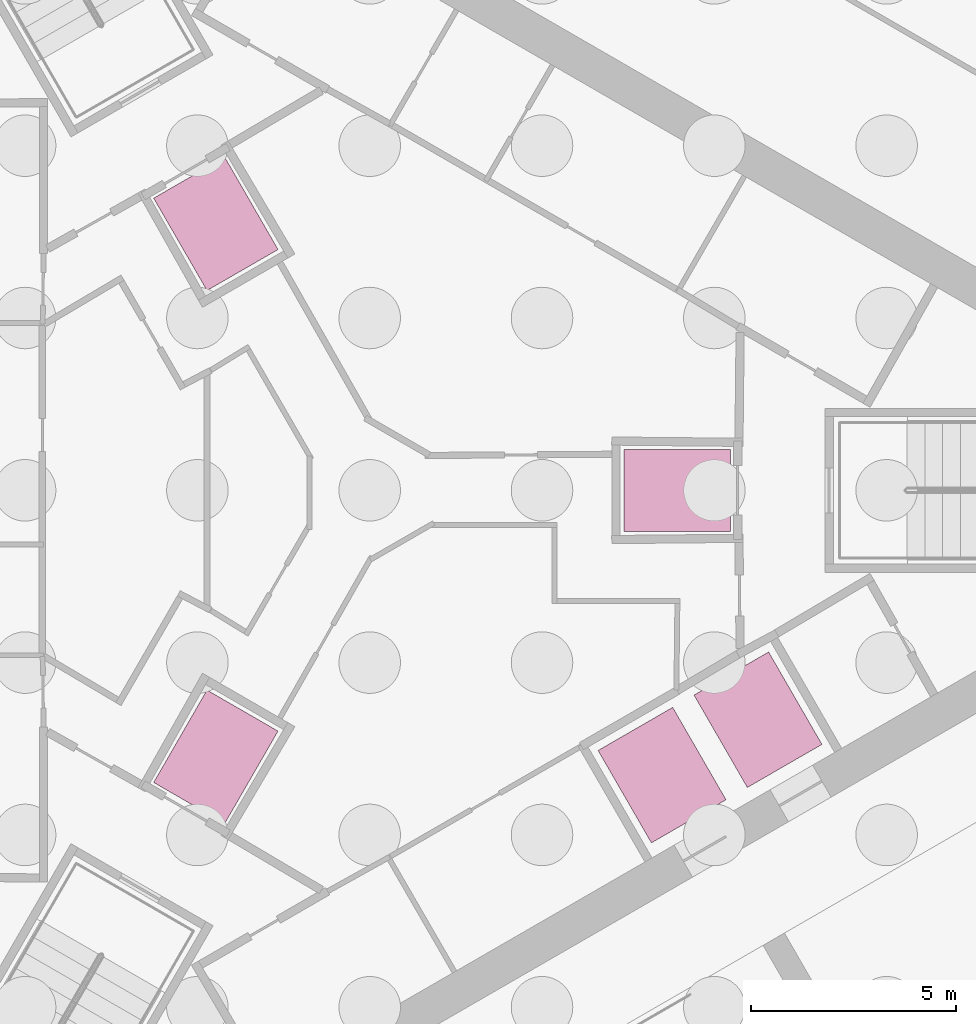
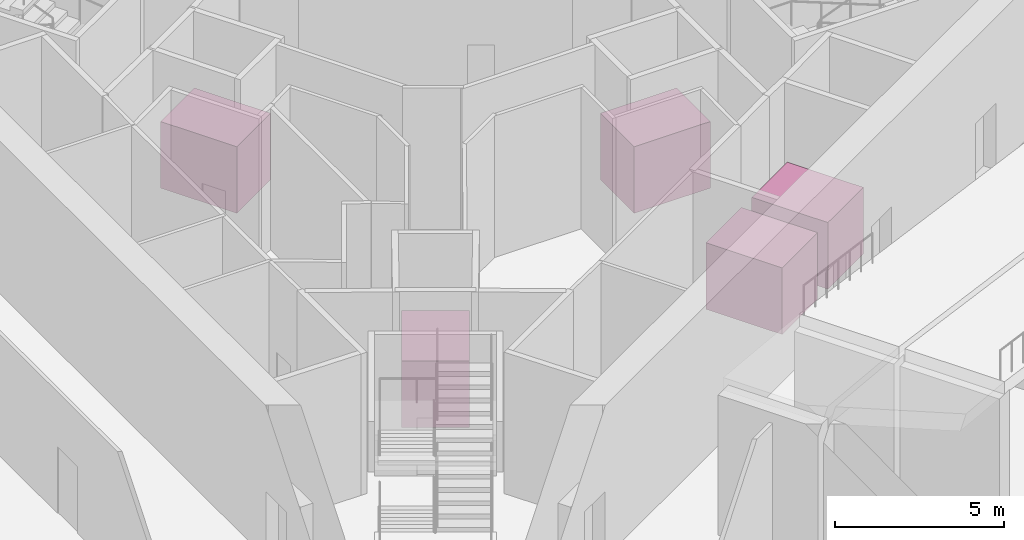
# One storey, part 13 of 13: 5 transport elements.
"""IFC4 building model written with IfcOpenShell, lengths in metres."""

from ifc_helpers import new_model, si_unit, direction, frame, origin, origin_2d, place, context, subcontext, project, spatial, rectangle, extrude, material, type_object, element, save


model = new_model("IFC4")

# Units and contexts
model_context = context("Model", 3, precision=1e-05, world=origin(), true_north=direction((0.0, 1.0)))
body_context = subcontext(model_context, "Body", "Model", "MODEL_VIEW")
ifc_project = project(units=[si_unit("LENGTHUNIT", "METRE"), si_unit("AREAUNIT", "SQUARE_METRE"), si_unit("VOLUMEUNIT", "CUBIC_METRE"), si_unit("PLANEANGLEUNIT", "RADIAN"), si_unit("MASSUNIT", "GRAM", prefix="KILO")], contexts=[model_context])

# Site, building, storey
site_placement = place(None, origin())
site = spatial("IfcSite", under=ifc_project, at=site_placement, CompositionType="ELEMENT")
building_placement = place(site_placement, origin())
building = spatial("IfcBuilding", under=site, at=building_placement, Name="Tanit Gate Tower", CompositionType="ELEMENT")
storey_placement = place(building_placement, frame((0.0, 0.0, -11.0)))
storey = spatial("IfcBuildingStorey", under=building, at=storey_placement, Name="B2", CompositionType="ELEMENT", Elevation=-11.0)

# Transport elements
ifc_material_1 = material(Name="Stainless steel lift car", Category="steel")
transport_element_type_1 = type_object("IfcTransportElementType", Name="INT-LIFT-2000X2600-1600", PredefinedType="ELEVATOR", material=ifc_material_1)
for number, where, z_axis, x_axis, name in (
    (1, (7.5, 0.0, 0.0), (0.0, 0.0, 1.0), (0.0, 1.0, 0.0), "Lift FL1"),
    (2, (-3.75, 6.4951171875, 0.0), (0.0, 0.0, 1.0), (-0.866025403784, -0.5, 0.0), "Lift FL2"),
    (3, (-3.75, -6.4951171875, 0.0), (0.0, 0.0, 1.0), (0.866025403784, -0.5, 0.0), "Lift FL3"),
):
    element("IfcTransportElement", number, at=place(storey_placement, frame(where, z_axis=z_axis, x_axis=x_axis)), inside=storey, type_object=transport_element_type_1, Name=name, PredefinedType="ELEVATOR", context=body_context, shape_type="SweptSolid", body=[
        extrude(rectangle(XDim=2.0, YDim=2.60009765625, at=origin_2d()), origin(), (0.0, 0.0, 1.0), 2.39990234375),
    ])
ifc_material_2 = material(Name="Stainless steel lift car", Category="steel")
transport_element_type_2 = type_object("IfcTransportElementType", Name="INT-LIFT-2100X2600-2000", PredefinedType="ELEVATOR", material=ifc_material_2)
for number, where, z_axis, x_axis, name in (
    (4, (7.125732421875, -6.942138671875, 0.0), (0.0, 0.0, 1.0), (0.866025403784, 0.5, 0.0), "Lift SV1"),
    (5, (9.464111328125, -5.59228515625, 0.0), (0.0, 0.0, 1.0), (0.866025403784, 0.5, 0.0), "Lift SV2"),
):
    element("IfcTransportElement", number, at=place(storey_placement, frame(where, z_axis=z_axis, x_axis=x_axis)), inside=storey, type_object=transport_element_type_2, Name=name, PredefinedType="ELEVATOR", context=body_context, shape_type="SweptSolid", body=[
        extrude(rectangle(XDim=2.10009765625, YDim=2.60009765625, at=origin_2d()), origin(), (0.0, 0.0, 1.0), 2.39990234375),
    ])

save(model, "model.ifc")
